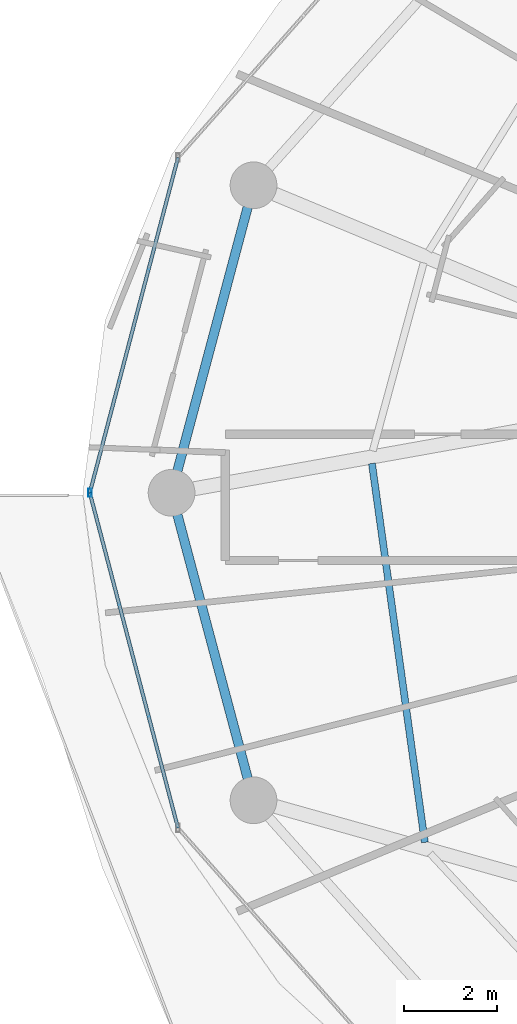
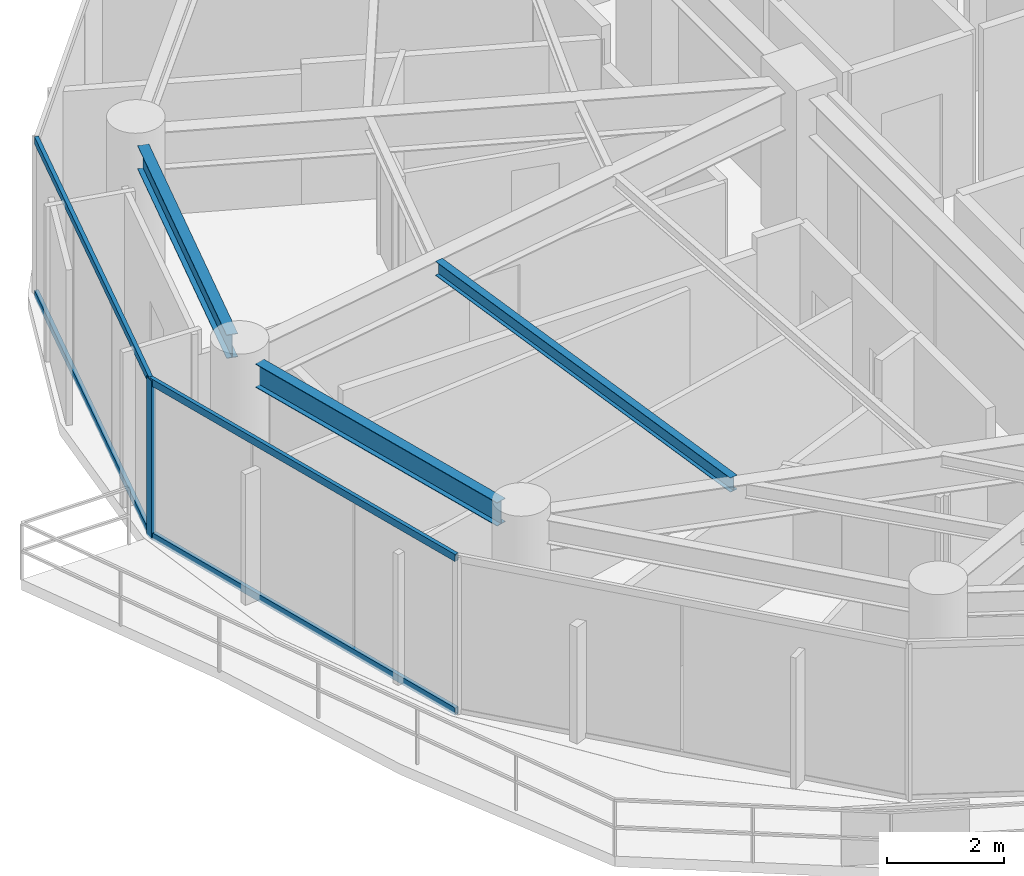
# One storey, part 6 of 28: 5 members, 3 beams, 1 element without a shape of its own.
"""IFC4 building model written with IfcOpenShell, lengths in metres."""

import ifcopenshell
import ifcopenshell.guid

model = None  # the IFC model being written
_history = None  # IfcOwnerHistory: only IFC2X3 demands one
_inside = {}  # id of a spatial element -> (the spatial element, [elements in it])
_under = {}  # id of a project, library or spatial element -> (it, [spatial elements below it])
_declared = {}  # id of a project -> (the project, [libraries it declares])
_typed = {}  # id of a type object -> (the type object, [elements of that type])
_made_of = {}  # id of a material, layer set ... -> (it, [elements and type objects made of it])


def new_model(schema):
    """Start an empty IFC model of exactly this schema.

    Asked for "IFC4X3", IfcOpenShell would pick the latest addendum, in which some entities
    have other attributes; the version numbers below select the first issue.
    IFC2X3 requires an IfcOwnerHistory on every rooted entity: one is made here for all.
    """
    global model, _history
    if schema == "IFC4X3":
        model = ifcopenshell.file(schema_version=(4, 3, 0, 0))
    else:
        model = ifcopenshell.file(schema=schema)
    _inside.clear()
    _under.clear()
    _declared.clear()
    _typed.clear()
    _made_of.clear()
    _history = None
    if model.schema == "IFC2X3":
        org = make("IfcOrganization", Name="unknown")
        user = make(
            "IfcPersonAndOrganization",
            ThePerson=make("IfcPerson", FamilyName="unknown"),
            TheOrganization=org,
        )
        app = make(
            "IfcApplication",
            ApplicationDeveloper=org,
            Version="unknown",
            ApplicationFullName="unknown",
            ApplicationIdentifier="unknown",
        )
        _history = make(
            "IfcOwnerHistory",
            OwningUser=user,
            OwningApplication=app,
            ChangeAction="ADDED",
            CreationDate=0,
        )
    return model


def make(cls, **values):
    """One entity of the class cls with the attributes given. An attribute that is None is left unset."""
    return model.create_entity(
        cls, **{name: value for name, value in values.items() if value is not None}
    )


def rooted(cls, **values):
    """An entity with a GlobalId (a new one), such as an element, a storey or a relation."""
    return make(cls, GlobalId=ifcopenshell.guid.new(), OwnerHistory=_history, **values)


def si_unit(unit_type, name, prefix=None):
    """IfcSIUnit, for example si_unit("LENGTHUNIT", "METRE", prefix="MILLI")."""
    return make("IfcSIUnit", UnitType=unit_type, Prefix=prefix, Name=name)


def assignment(units):
    """IfcUnitAssignment: the units of a project."""
    return None if units is None else make("IfcUnitAssignment", Units=units)


def point(xyz):
    """IfcCartesianPoint."""
    return None if xyz is None else make("IfcCartesianPoint", Coordinates=xyz)


def direction(xyz):
    """IfcDirection."""
    return None if xyz is None else make("IfcDirection", DirectionRatios=xyz)


def frame(location, z_axis=None, x_axis=None):
    """IfcAxis2Placement3D, a coordinate frame: its origin and axes. An axis left out is left unset."""
    return make(
        "IfcAxis2Placement3D",
        Location=point(location),
        Axis=direction(z_axis),
        RefDirection=direction(x_axis),
    )


def frame_2d(location, x_axis=None):
    """IfcAxis2Placement2D, a coordinate frame in the plane: its origin and x axis."""
    return make(
        "IfcAxis2Placement2D", Location=point(location), RefDirection=direction(x_axis)
    )


def origin():
    """The frame at (0, 0, 0) with its axes left unset."""
    return frame((0.0, 0.0, 0.0))


def origin_2d():
    """The frame at (0, 0) in the plane with its x axis left unset."""
    return frame_2d((0.0, 0.0))


def place(relative_to, where):
    """IfcLocalPlacement: puts the frame where relative to a parent placement (None: the world)."""
    return make(
        "IfcLocalPlacement", PlacementRelTo=relative_to, RelativePlacement=where
    )


def context(
    kind, dimensions, precision=None, world=None, true_north=None, identifier=None
):
    """IfcGeometricRepresentationContext, for example the 3D "Model" context."""
    return make(
        "IfcGeometricRepresentationContext",
        ContextIdentifier=identifier,
        ContextType=kind,
        CoordinateSpaceDimension=dimensions,
        Precision=precision,
        WorldCoordinateSystem=world,
        TrueNorth=true_north,
    )


def subcontext(parent, identifier, kind, view, scale=None):
    """IfcGeometricRepresentationSubContext, for example "Body" below "Model"."""
    return make(
        "IfcGeometricRepresentationSubContext",
        ContextIdentifier=identifier,
        ContextType=kind,
        ParentContext=parent,
        TargetScale=scale,
        TargetView=view,
    )


def project(units=None, contexts=None):
    """IfcProject with its units and contexts."""
    return rooted(
        "IfcProject",
        Name="project",
        RepresentationContexts=contexts,
        UnitsInContext=assignment(units),
    )


def spatial(cls, under=None, at=None, **own):
    """A site, building, storey or space (cls), placed at a placement, below another one or the project."""
    s = rooted(cls, ObjectPlacement=at, **own)
    if under is not None:
        _under.setdefault(under.id(), (under, []))[1].append(s)
    return s


def profile(cls, at=None, kind="AREA", **sizes):
    """A parametric profile (cls). Its sizes go by their IFC names, for example OverallWidth=200.0."""
    return make(cls, ProfileType=kind, Position=at, **sizes)


def hollow_rectangle(**sizes):
    """IfcRectangleHollowProfileDef."""
    return profile("IfcRectangleHollowProfileDef", **sizes)


def i_section(**sizes):
    """IfcIShapeProfileDef."""
    return profile("IfcIShapeProfileDef", **sizes)


def extrude(swept, where, along, depth):
    """IfcExtrudedAreaSolid: the profile swept, set in the frame where, extruded along a direction by depth."""
    return make(
        "IfcExtrudedAreaSolid",
        SweptArea=swept,
        Position=where,
        ExtrudedDirection=direction(along),
        Depth=depth,
    )


def shape(context_of_items, identifier, shape_type, items):
    """IfcShapeRepresentation: the items that make up one representation, for example the "Body"."""
    return make(
        "IfcShapeRepresentation",
        ContextOfItems=context_of_items,
        RepresentationIdentifier=identifier,
        RepresentationType=shape_type,
        Items=items,
    )


def material(Name=None, Category=None):
    """IfcMaterial."""
    return make("IfcMaterial", Name=Name, Category=Category)


def material_profile(
    of_material, cross_section, Name=None, Category=None, Priority=None
):
    """IfcMaterialProfile: a cross section and its material."""
    return make(
        "IfcMaterialProfile",
        Name=Name,
        Material=of_material,
        Profile=cross_section,
        Priority=Priority,
        Category=Category,
    )


def profile_set(profiles, Name=None, composite=None):
    """IfcMaterialProfileSet."""
    return make(
        "IfcMaterialProfileSet",
        Name=Name,
        MaterialProfiles=profiles,
        CompositeProfile=composite,
    )


def made_of(thing, what):
    """Note that an element or type object is made of a material, layer set ...; save() writes the relation."""
    if what is not None:
        _made_of.setdefault(what.id(), (what, []))[1].append(thing)
    return thing


def type_object(cls, material=None, **own):
    """A type object (cls), such as IfcWallType, which elements share."""
    return made_of(rooted(cls, **own), material)


def element(
    cls,
    number,
    at=None,
    inside=None,
    cuts=None,
    type_object=None,
    material=None,
    context=None,
    identifier="Body",
    shape_type=None,
    held_by="IfcProductDefinitionShape",
    body=None,
    shapes=None,
    **own,
):
    """One element of the class cls, such as IfcWall. Its Tag is "e" and its number.

    at: its placement. inside: the storey or other place that contains it. cuts: it is an
    opening in that element (IfcRelVoidsElement). A single representation is given by context,
    identifier, shape_type and body (its items); several are given by shapes. held_by: the class
    of the entity that holds the representations. save() writes the other relations.
    """
    e = rooted(cls, Tag="e%d" % number, ObjectPlacement=at, **own)
    if body is not None:
        shapes = [shape(context, identifier, shape_type, body)]
    if shapes is not None:
        e.Representation = make(held_by, Representations=shapes)
    if inside is not None:
        _inside.setdefault(inside.id(), (inside, []))[1].append(e)
    if cuts is not None:
        rooted(
            "IfcRelVoidsElement", RelatingBuildingElement=cuts, RelatedOpeningElement=e
        )
    if type_object is not None:
        _typed.setdefault(type_object.id(), (type_object, []))[1].append(e)
    return made_of(e, material)


def aggregate(whole, parts):
    """IfcRelAggregates: a whole, such as a stair, and the parts it consists of."""
    return rooted("IfcRelAggregates", RelatingObject=whole, RelatedObjects=parts)


def save(model, path):
    """Write the relations noted so far, then the file.

    IfcRelAggregates (storeys below a building ...), IfcRelContainedInSpatialStructure (elements
    in a storey), IfcRelDefinesByType, IfcRelAssociatesMaterial and IfcRelDeclares: one each for
    every whole, place, type object, material and project.
    """
    for whole, parts in _under.values():
        aggregate(whole, parts)
    for where, things in _inside.values():
        rooted(
            "IfcRelContainedInSpatialStructure",
            RelatedElements=things,
            RelatingStructure=where,
        )
    for kind, things in _typed.values():
        rooted("IfcRelDefinesByType", RelatedObjects=things, RelatingType=kind)
    for what, things in _made_of.values():
        rooted("IfcRelAssociatesMaterial", RelatedObjects=things, RelatingMaterial=what)
    for by, libraries in _declared.values():
        rooted("IfcRelDeclares", RelatingContext=by, RelatedDefinitions=libraries)
    model.write(path)


model = new_model("IFC4")

# Units and contexts
model_context = context("Model", 3, precision=1e-05, world=origin(), true_north=direction((0.0, 1.0)))
body_context = subcontext(model_context, "Body", "Model", "MODEL_VIEW")
ifc_project = project(units=[si_unit("LENGTHUNIT", "METRE"), si_unit("AREAUNIT", "SQUARE_METRE"), si_unit("VOLUMEUNIT", "CUBIC_METRE"), si_unit("PLANEANGLEUNIT", "RADIAN"), si_unit("MASSUNIT", "GRAM", prefix="KILO")], contexts=[model_context])

# Site, building, storey
site_placement = place(None, origin())
site = spatial("IfcSite", under=ifc_project, at=site_placement, CompositionType="ELEMENT")
building_placement = place(site_placement, origin())
building = spatial("IfcBuilding", under=site, at=building_placement, Name="Vorneva Point Tower", CompositionType="ELEMENT")
storey_placement = place(building_placement, frame((0.0, 0.0, 139.60009765625)))
storey = spatial("IfcBuildingStorey", under=building, at=storey_placement, Name="L37", CompositionType="ELEMENT", Elevation=139.60009765625)

# Beams
ifc_material_1 = material(Name="Steel S355", Category="steel")
ifc_material_profile_1 = material_profile(ifc_material_1, i_section(OverallWidth=0.14892578125, OverallDepth=0.298095703125, WebThickness=0.005615234375, FlangeThickness=0.008056640625, at=origin_2d()), Name="30B1")
ifc_profile_set_1 = profile_set([ifc_material_profile_1], Name="Steel S355")
beam_type_1 = type_object("IfcBeamType", Name="BM-JST-30B1", PredefinedType="JOIST", material=ifc_profile_set_1)
beam_placement = place(storey_placement, frame((19.239501953125, 26.627197265625, 3.0908203125), z_axis=(0.13833204721, -0.990385906965, 0.0), x_axis=(0.990385906965, 0.13833204721, 0.0)))
element("IfcBeam", 1, at=beam_placement, inside=storey, type_object=beam_type_1, Name="L37 Secondary Floor Beam 1.09", PredefinedType="JOIST", context=body_context, shape_type="SweptSolid", body=[
    extrude(i_section(OverallWidth=0.14892578125, OverallDepth=0.298095703125, WebThickness=0.005615234375, FlangeThickness=0.008056640625, at=origin_2d()), origin(), (0.0, 0.0, 1.0), 8.18896484375),
])
ifc_material_profile_2 = material_profile(ifc_material_1, i_section(OverallWidth=0.199951171875, OverallDepth=0.491943359375, WebThickness=0.0087890625, FlangeThickness=0.011962890625, at=origin_2d()), Name="50B1")
ifc_profile_set_2 = profile_set([ifc_material_profile_2], Name="Steel S355")
beam_type_2 = type_object("IfcBeamType", Name="BM-SPN-50B1", PredefinedType="SPANDREL", material=ifc_profile_set_2)
for number, where, z_axis, x_axis, name in (
    (2, (16.57958984375, 32.113525390625, 2.993896484375), (-0.257550804648, -0.966264758245, 0.0), (0.966264758245, -0.257550804648, 0.0), "L37 Perimeter Spandrel Ring Beam 08"),
    (3, (15.074951171875, 25.531494140625, 2.993896484375), (0.257550804648, -0.966264758245, 0.0), (0.966264758245, 0.257550804648, 0.0), "L37 Perimeter Spandrel Ring Beam 09"),
):
    element("IfcBeam", number, at=place(storey_placement, frame(where, z_axis=z_axis, x_axis=x_axis)), inside=storey, type_object=beam_type_2, Name=name, PredefinedType="SPANDREL", context=body_context, shape_type="SweptSolid", body=[
        extrude(i_section(OverallWidth=0.199951171875, OverallDepth=0.491943359375, WebThickness=0.0087890625, FlangeThickness=0.011962890625, at=origin_2d()), origin(), (0.0, 0.0, 1.0), 5.842041015625),
    ])

# Curtain wall, members
ifc_material_2 = material(Name="Pale anodised aluminium", Category="aluminium")
curtain_wall_type = type_object("IfcCurtainWallType", Name="CW-RES-SYS", PredefinedType="NOTDEFINED", material=ifc_material_2)
curtain_wall_placement = place(storey_placement, origin())
curtain_wall = element("IfcCurtainWall", 4, at=curtain_wall_placement, inside=storey, type_object=curtain_wall_type, Name="L37 Unitised Curtain Wall CW-L37-R02", PredefinedType="NOTDEFINED")
ifc_material_profile_3 = material_profile(ifc_material_2, hollow_rectangle(XDim=0.074951171875, YDim=0.179931640625, WallThickness=0.00390625, at=origin_2d()), Name="AL-MUL 180x75x4")
ifc_profile_set_3 = profile_set([ifc_material_profile_3], Name="Pale anodised aluminium")
member_type_1 = type_object("IfcMemberType", Name="CW-MUL-180", PredefinedType="MULLION", material=ifc_profile_set_3)
member_1_placement = place(storey_placement, frame((13.199951171875, 26.0, -0.0400390625), z_axis=(0.0, 0.0, 1.0), x_axis=(1.0, 0.0, 0.0)))
member_1 = element("IfcMember", 5, at=member_1_placement, type_object=member_type_1, Name="CW-L37-R02 Mullion 03", PredefinedType="MULLION", context=body_context, shape_type="SweptSolid", body=[
    extrude(hollow_rectangle(XDim=0.074951171875, YDim=0.179931640625, WallThickness=0.00390625, at=origin_2d()), origin(), (0.0, 0.0, 1.0), 3.31005859375),
])
ifc_material_profile_4 = material_profile(ifc_material_2, hollow_rectangle(XDim=0.074951171875, YDim=0.14990234375, WallThickness=0.00390625, at=origin_2d()), Name="AL-TRN 150x75x4")
ifc_profile_set_4 = profile_set([ifc_material_profile_4], Name="Pale anodised aluminium")
member_type_2 = type_object("IfcMemberType", Name="CW-TRN-150", PredefinedType="USERDEFINED", material=ifc_profile_set_4)
member_2_placement = place(storey_placement, frame((15.087890625, 33.17529296875, 0.02001953125), z_axis=(-0.254456046293, -0.967084339913, 0.0), x_axis=(0.967084339913, -0.254456046293, 0.0)))
member_2 = element("IfcMember", 6, at=member_2_placement, type_object=member_type_2, Name="CW-L37-R02 Transom 02.1", ObjectType="TRANSOM", PredefinedType="USERDEFINED", context=body_context, shape_type="SweptSolid", body=[
    extrude(hollow_rectangle(XDim=0.074951171875, YDim=0.14990234375, WallThickness=0.00390625, at=origin_2d()), origin(), (0.0, 0.0, 1.0), 7.41943359375),
])
member_3_placement = place(storey_placement, frame((15.087890625, 33.17529296875, 3.219970703125), z_axis=(-0.254456046293, -0.967084339913, 0.0), x_axis=(0.967084339913, -0.254456046293, 0.0)))
member_3 = element("IfcMember", 7, at=member_3_placement, type_object=member_type_2, Name="CW-L37-R02 Transom 02.2", ObjectType="TRANSOM", PredefinedType="USERDEFINED", context=body_context, shape_type="SweptSolid", body=[
    extrude(hollow_rectangle(XDim=0.074951171875, YDim=0.14990234375, WallThickness=0.00390625, at=origin_2d()), origin(), (0.0, 0.0, 1.0), 7.41943359375),
])
member_4_placement = place(storey_placement, frame((13.199951171875, 26.0, 0.02001953125), z_axis=(0.254456046293, -0.967084339913, 0.0), x_axis=(0.967084339913, 0.254456046293, 0.0)))
member_4 = element("IfcMember", 8, at=member_4_placement, type_object=member_type_2, Name="CW-L37-R02 Transom 03.1", ObjectType="TRANSOM", PredefinedType="USERDEFINED", context=body_context, shape_type="SweptSolid", body=[
    extrude(hollow_rectangle(XDim=0.074951171875, YDim=0.14990234375, WallThickness=0.00390625, at=origin_2d()), origin(), (0.0, 0.0, 1.0), 7.41943359375),
])
member_5_placement = place(storey_placement, frame((13.199951171875, 26.0, 3.219970703125), z_axis=(0.254456046293, -0.967084339913, 0.0), x_axis=(0.967084339913, 0.254456046293, 0.0)))
member_5 = element("IfcMember", 9, at=member_5_placement, type_object=member_type_2, Name="CW-L37-R02 Transom 03.2", ObjectType="TRANSOM", PredefinedType="USERDEFINED", context=body_context, shape_type="SweptSolid", body=[
    extrude(hollow_rectangle(XDim=0.074951171875, YDim=0.14990234375, WallThickness=0.00390625, at=origin_2d()), origin(), (0.0, 0.0, 1.0), 7.41943359375),
])
aggregate(curtain_wall, [member_1, member_2, member_3, member_4, member_5])

save(model, "model.ifc")
